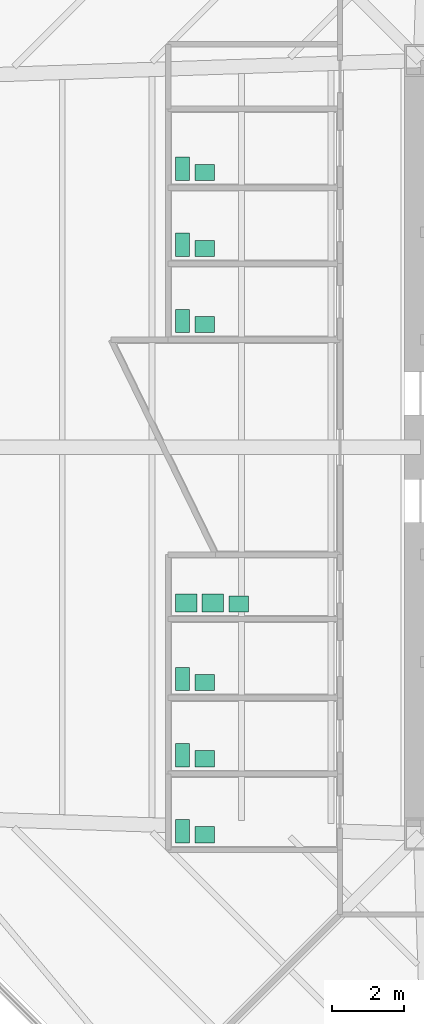
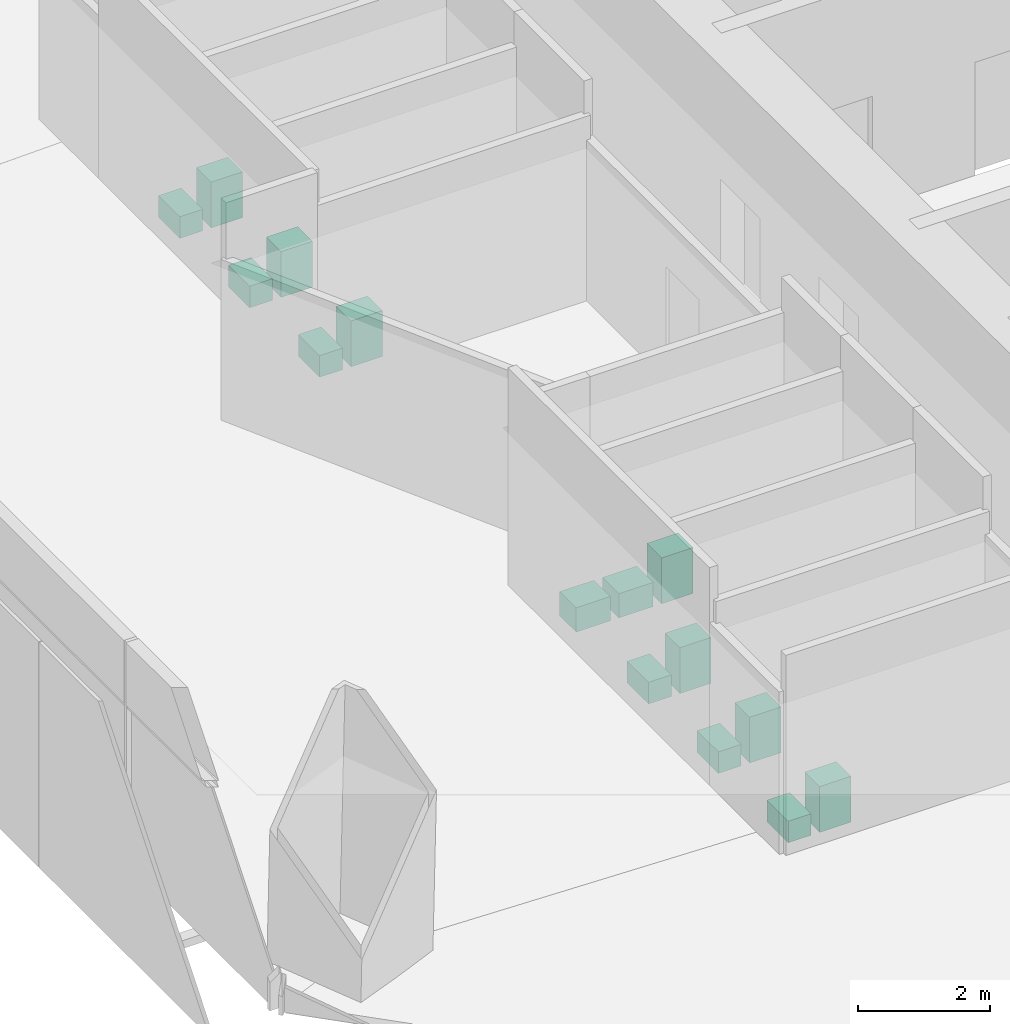
# One storey, part 13 of 13: 15 sanitary terminals.
"""IFC4 building model written with IfcOpenShell, lengths in metres."""

from ifc_helpers import new_model, si_unit, direction, frame, origin, origin_2d, place, context, subcontext, project, spatial, rectangle, extrude, material, type_object, element, save


model = new_model("IFC4")

# Units and contexts
model_context = context("Model", 3, precision=1e-05, world=origin(), true_north=direction((0.0, 1.0)))
body_context = subcontext(model_context, "Body", "Model", "MODEL_VIEW")
ifc_project = project(units=[si_unit("LENGTHUNIT", "METRE"), si_unit("AREAUNIT", "SQUARE_METRE"), si_unit("VOLUMEUNIT", "CUBIC_METRE"), si_unit("PLANEANGLEUNIT", "RADIAN"), si_unit("MASSUNIT", "GRAM", prefix="KILO")], contexts=[model_context])

# Site, building, storey
site_placement = place(None, origin())
site = spatial("IfcSite", under=ifc_project, at=site_placement, CompositionType="ELEMENT")
building_placement = place(site_placement, origin())
building = spatial("IfcBuilding", under=site, at=building_placement, Name="Mashrafa Tower", CompositionType="ELEMENT")
storey_placement = place(building_placement, frame((0.0, 0.0, 49.800048828125)))
storey = spatial("IfcBuildingStorey", under=building, at=storey_placement, Name="L10", CompositionType="ELEMENT", Elevation=49.800048828125)

# Sanitary terminals
ifc_material_1 = material(Name="Stainless steel", Category="steel")
sanitary_terminal_type_1 = type_object("IfcSanitaryTerminalType", Name="Ablution wash station 600 x 500", PredefinedType="WASHHANDBASIN", material=ifc_material_1)
for number, where, z_axis, x_axis, name in (
    (1, (-17.35009765625, -4.35009765625, 0.0), (0.0, 0.0, 1.0), (1.0, 0.0, 0.0), "Ablution wash station Ablution Room L10 S"),
    (2, (-16.60009765625, -4.35009765625, 0.0), (0.0, 0.0, 1.0), (1.0, 0.0, 0.0), "Ablution wash station Ablution Room L10 S"),
):
    element("IfcSanitaryTerminal", number, at=place(storey_placement, frame(where, z_axis=z_axis, x_axis=x_axis)), inside=storey, type_object=sanitary_terminal_type_1, Name=name, PredefinedType="WASHHANDBASIN", context=body_context, shape_type="SweptSolid", body=[
        extrude(rectangle(XDim=0.60009765625, YDim=0.5, at=origin_2d()), origin(), (0.0, 0.0, 1.0), 0.449951171875),
    ])
ifc_material_2 = material(Name="Vitreous china")
sanitary_terminal_type_2 = type_object("IfcSanitaryTerminalType", Name="Toilet pan 400 x 650", PredefinedType="TOILETPAN", material=ifc_material_2)
for number, where, z_axis, x_axis, name in (
    (3, (-17.449951171875, 3.52490234375, 0.0), (0.0, 0.0, 1.0), (1.0, 0.0, 0.0), "Toilet pan WC Female L10 N"),
    (4, (-17.449951171875, 5.64990234375, 0.0), (0.0, 0.0, 1.0), (1.0, 0.0, 0.0), "Toilet pan WC Male L10 N"),
    (5, (-17.449951171875, 7.77490234375, 0.0), (0.0, 0.0, 1.0), (1.0, 0.0, 0.0), "Toilet pan Accessible WC L10 N"),
    (6, (-17.449951171875, -10.72509765625, 0.0), (0.0, 0.0, 1.0), (1.0, 0.0, 0.0), "Toilet pan WC Female L10 S"),
    (7, (-17.449951171875, -8.60009765625, 0.0), (0.0, 0.0, 1.0), (1.0, 0.0, 0.0), "Toilet pan WC Male L10 S"),
    (8, (-17.449951171875, -6.47509765625, 0.0), (0.0, 0.0, 1.0), (1.0, 0.0, 0.0), "Toilet pan Accessible WC L10 S"),
):
    element("IfcSanitaryTerminal", number, at=place(storey_placement, frame(where, z_axis=z_axis, x_axis=x_axis)), inside=storey, type_object=sanitary_terminal_type_2, Name=name, PredefinedType="TOILETPAN", context=body_context, shape_type="SweptSolid", body=[
        extrude(rectangle(XDim=0.39990234375, YDim=0.64990234375, at=origin_2d()), origin(), (0.0, 0.0, 1.0), 0.39990234375),
    ])
ifc_material_3 = material(Name="Vitreous china")
sanitary_terminal_type_3 = type_object("IfcSanitaryTerminalType", Name="Wash basin 550 x 450", PredefinedType="WASHHANDBASIN", material=ifc_material_3)
for number, where, z_axis, x_axis, name in (
    (9, (-16.824951171875, 3.425048828125, 0.0), (0.0, 0.0, 1.0), (1.0, 0.0, 0.0), "Wash basin WC Female L10 N"),
    (10, (-16.824951171875, 5.550048828125, 0.0), (0.0, 0.0, 1.0), (1.0, 0.0, 0.0), "Wash basin WC Male L10 N"),
    (11, (-16.824951171875, 7.675048828125, 0.0), (0.0, 0.0, 1.0), (1.0, 0.0, 0.0), "Wash basin Accessible WC L10 N"),
    (12, (-16.824951171875, -10.824951171875, 0.0), (0.0, 0.0, 1.0), (1.0, 0.0, 0.0), "Wash basin WC Female L10 S"),
    (13, (-16.824951171875, -8.699951171875, 0.0), (0.0, 0.0, 1.0), (1.0, 0.0, 0.0), "Wash basin WC Male L10 S"),
    (14, (-16.824951171875, -6.574951171875, 0.0), (0.0, 0.0, 1.0), (1.0, 0.0, 0.0), "Wash basin Accessible WC L10 S"),
    (15, (-15.875, -4.375, 0.0), (0.0, 0.0, 1.0), (1.0, 0.0, 0.0), "Wash basin Ablution Room L10 S"),
):
    element("IfcSanitaryTerminal", number, at=place(storey_placement, frame(where, z_axis=z_axis, x_axis=x_axis)), inside=storey, type_object=sanitary_terminal_type_3, Name=name, PredefinedType="WASHHANDBASIN", context=body_context, shape_type="SweptSolid", body=[
        extrude(rectangle(XDim=0.550048828125, YDim=0.449951171875, at=origin_2d()), origin(), (0.0, 0.0, 1.0), 0.85009765625),
    ])

save(model, "model.ifc")
